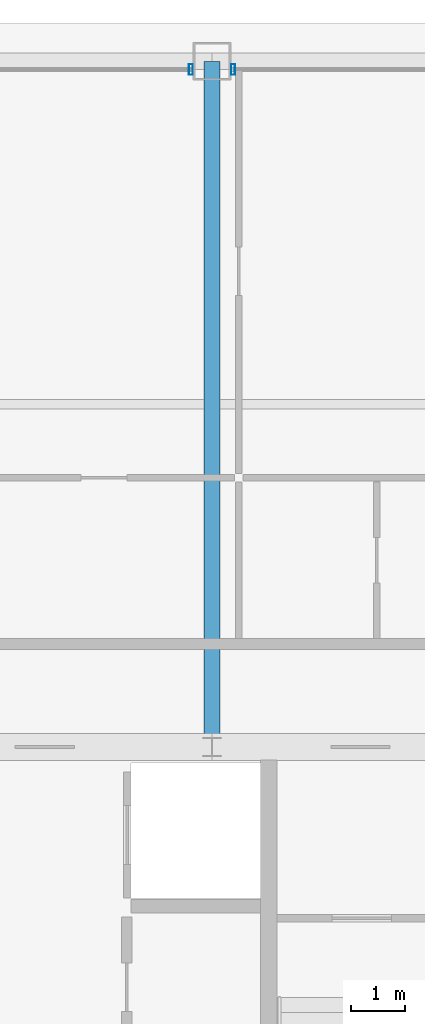
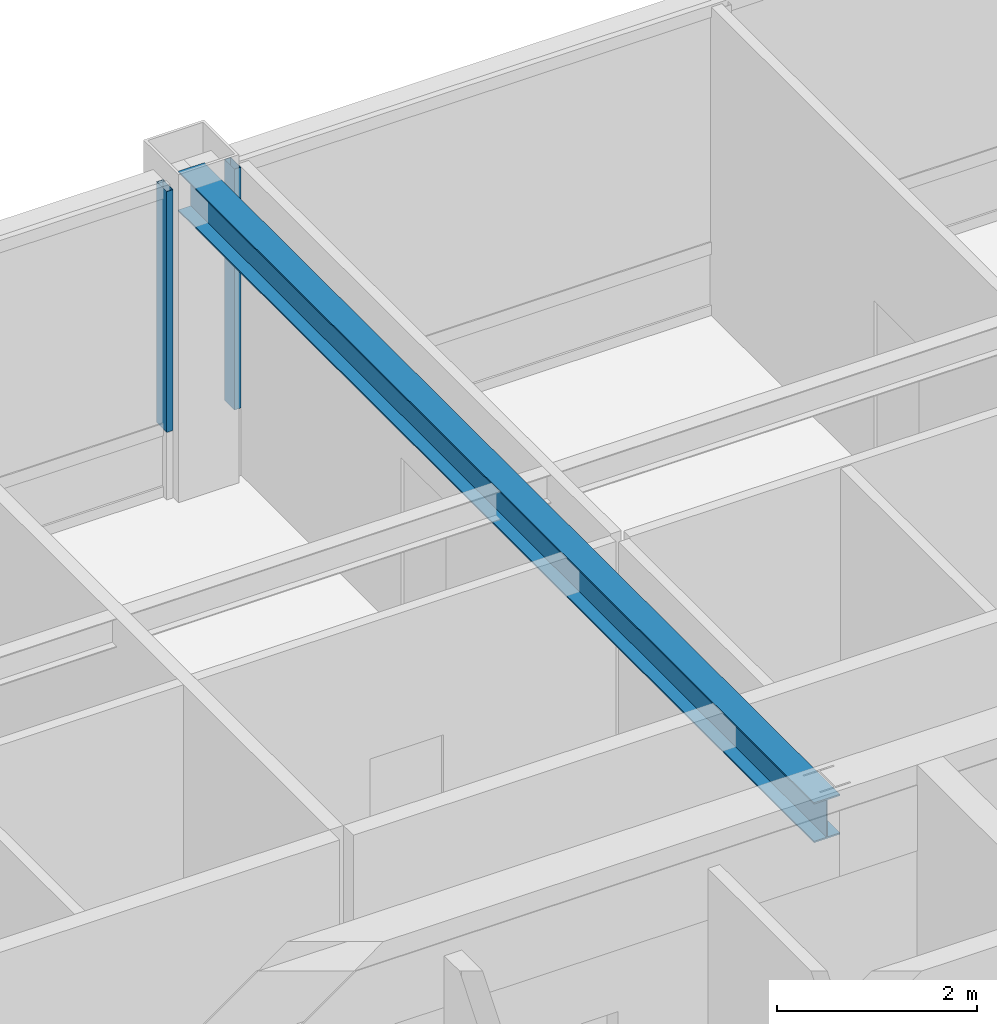
# One storey, part 17 of 35: 2 members, 1 beam, 2 elements without a shape of their own.
"""IFC4 building model written with IfcOpenShell, lengths in metres."""

from ifc_helpers import new_model, si_unit, direction, frame, origin, origin_2d, place, context, subcontext, project, spatial, hollow_rectangle, i_section, extrude, source, transform, mapped, material, layer, layer_set, material_profile, profile_set, type_object, element, aggregate, save


model = new_model("IFC4")

# Units and contexts
model_context = context("Model", 3, precision=1e-05, world=origin(), true_north=direction((0.0, 1.0)))
body_context = subcontext(model_context, "Body", "Model", "MODEL_VIEW")
ifc_project = project(units=[si_unit("LENGTHUNIT", "METRE"), si_unit("AREAUNIT", "SQUARE_METRE"), si_unit("VOLUMEUNIT", "CUBIC_METRE"), si_unit("PLANEANGLEUNIT", "RADIAN"), si_unit("MASSUNIT", "GRAM", prefix="KILO"), si_unit("THERMODYNAMICTEMPERATUREUNIT", "KELVIN"), si_unit("POWERUNIT", "WATT")], contexts=[model_context])

# Site, building, storey
site_placement = place(None, origin())
site = spatial("IfcSite", under=ifc_project, at=site_placement, CompositionType="ELEMENT")
building_placement = place(site_placement, origin())
building = spatial("IfcBuilding", under=site, at=building_placement, Name="Yuzanri Waterfront Tower", CompositionType="ELEMENT")
storey_placement = place(building_placement, frame((0.0, 0.0, 343.199951171875)))
storey = spatial("IfcBuildingStorey", under=building, at=storey_placement, Name="L92", CompositionType="ELEMENT", Elevation=343.199951171875)

# Beam
ifc_material_1 = material(Name="Steel Q355B", Category="steel")
ifc_material_profile_1 = material_profile(ifc_material_1, i_section(OverallWidth=0.300048828125, OverallDepth=0.488037109375, WebThickness=0.010986328125, FlangeThickness=0.01806640625, at=origin_2d()), Name="HM 488x300x11x18")
ifc_profile_set_1 = profile_set([ifc_material_profile_1], Name="Steel Q355B")
beam_type = type_object("IfcBeamType", Name="Primary Floor Girder Q355B HM 488x300", PredefinedType="BEAM", material=ifc_profile_set_1)
shared_shape_1 = source(origin(), body_context, "Body", "SweptSolid", [
    extrude(i_section(OverallWidth=0.300048828125, OverallDepth=0.488037109375, WebThickness=0.010986328125, FlangeThickness=0.01806640625, at=origin_2d()), origin(), (0.0, 0.0, 1.0), 12.699951171875),
])
beam_placement = place(storey_placement, frame((37.0, 32.199951171875, 3.51611328125), z_axis=(0.0, 1.0, 0.0), x_axis=(-1.0, 0.0, 0.0)))
element("IfcBeam", 1, at=beam_placement, inside=storey, type_object=beam_type, Name="L92 North Grid Girder", PredefinedType="BEAM", context=body_context, shape_type="MappedRepresentation", body=[
    mapped(shared_shape_1, transform((0.0, 0.0, 0.0), scale=1.0)),
])

# Curtain wall, member
ifc_material_2 = material(Name="Anodized Architectural Bronze", Category="metal")
ifc_layer = layer(ifc_material_2, 0.159912109375)
ifc_layer_set = layer_set([ifc_layer], Name="Anodized Architectural Bronze")
curtain_wall_type = type_object("IfcCurtainWallType", Name="Anodized Bronze High-Rise Penthouse High-Wind Unitized Curtain Wall 6900", PredefinedType="NOTDEFINED", material=ifc_layer_set)
curtain_wall_1_placement = place(storey_placement, origin())
curtain_wall_1 = element("IfcCurtainWall", 2, at=curtain_wall_1_placement, inside=storey, type_object=curtain_wall_type, Name="L92 Curtain Wall CW-L92-NL", PredefinedType="NOTDEFINED")
ifc_material_3 = material(Name="Anodized Architectural Bronze", Category="metal")
ifc_material_profile_2 = material_profile(ifc_material_3, hollow_rectangle(XDim=0.074951171875, YDim=0.199951171875, WallThickness=0.00390625, at=origin_2d()), Name="CWM 75x200")
ifc_profile_set_2 = profile_set([ifc_material_profile_2], Name="Anodized Architectural Bronze")
member_type = type_object("IfcMemberType", Name="Anodized Bronze Primary Curtain-Wall Mullion 75x200", PredefinedType="MULLION", material=ifc_profile_set_2)
shared_shape_2 = source(origin(), body_context, "Body", "SweptSolid", [
    extrude(hollow_rectangle(XDim=0.074951171875, YDim=0.199951171875, WallThickness=0.00390625, at=origin_2d()), origin(), (0.0, 0.0, 1.0), 2.93798828125),
])
member_1_placement = place(storey_placement, frame((36.610107421875, 44.75, 0.822021484375), z_axis=(0.0, 0.0, 1.0), x_axis=(1.0, 0.0, 0.0)))
member_1 = element("IfcMember", 3, at=member_1_placement, type_object=member_type, Name="CW-L92-NL Upper Mullion 02", PredefinedType="MULLION", context=body_context, shape_type="MappedRepresentation", body=[
    mapped(shared_shape_2, transform((0.0, 0.0, 0.0), scale=1.0)),
])
aggregate(curtain_wall_1, [member_1])

curtain_wall_2_placement = place(storey_placement, origin())
curtain_wall_2 = element("IfcCurtainWall", 4, at=curtain_wall_2_placement, inside=storey, type_object=curtain_wall_type, Name="L92 Curtain Wall CW-L92-NR", PredefinedType="NOTDEFINED")
member_2_placement = place(storey_placement, frame((37.389892578125, 44.75, 0.822021484375), z_axis=(0.0, 0.0, 1.0), x_axis=(1.0, 0.0, 0.0)))
member_2 = element("IfcMember", 5, at=member_2_placement, type_object=member_type, Name="CW-L92-NR Upper Mullion 00", PredefinedType="MULLION", context=body_context, shape_type="MappedRepresentation", body=[
    mapped(shared_shape_2, transform((0.0, 0.0, 0.0), scale=1.0)),
])
aggregate(curtain_wall_2, [member_2])

save(model, "model.ifc")
